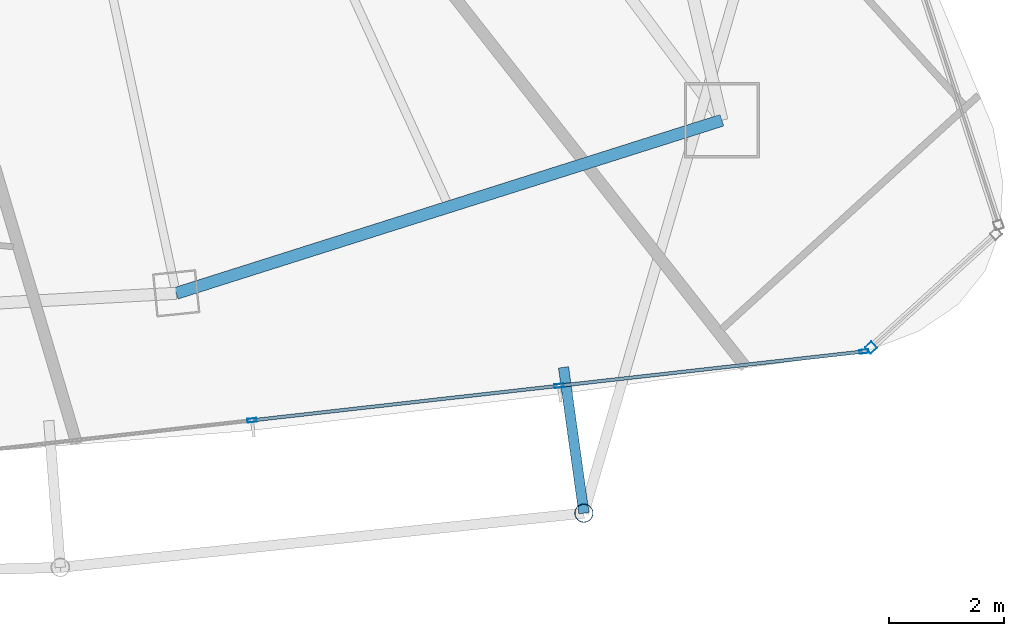
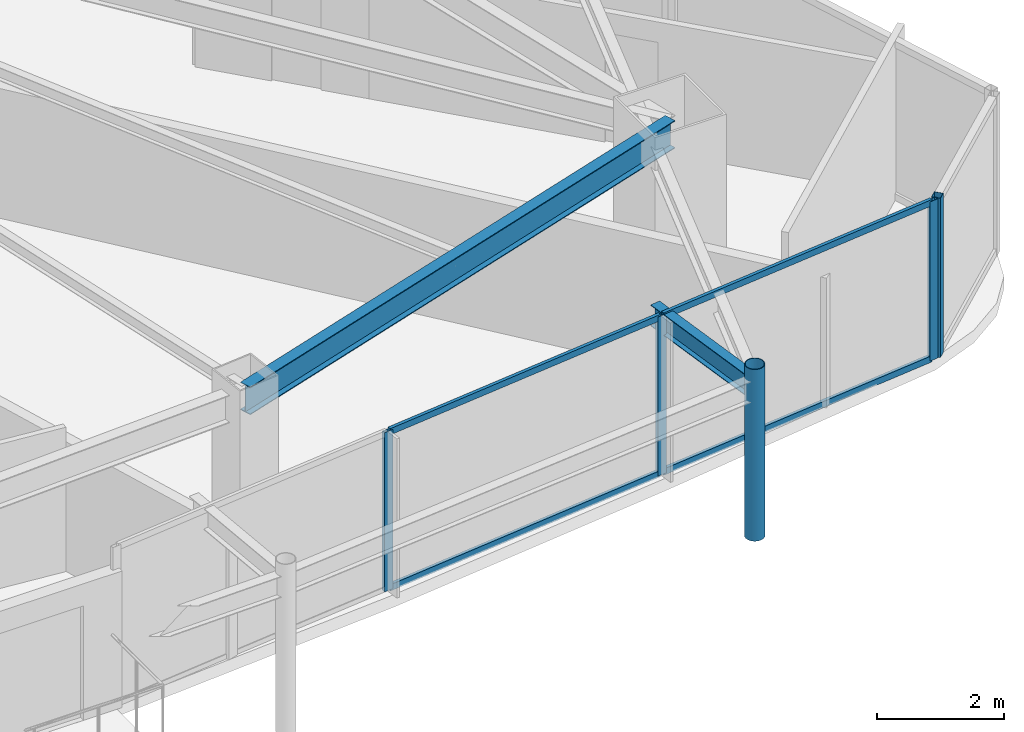
# One storey, part 15 of 34: 9 members, 2 beams, 2 elements without a shape of their own.
"""IFC4 building model written with IfcOpenShell, lengths in metres."""

from ifc_helpers import new_model, si_unit, direction, frame, origin, origin_2d, place, context, subcontext, project, spatial, hollow_rectangle, hollow_circle, i_section, extrude, material, layer, layer_set, material_profile, profile_set, type_object, element, aggregate, save


model = new_model("IFC4")

# Units and contexts
model_context = context("Model", 3, precision=1e-05, world=origin(), true_north=direction((0.0, 1.0)))
body_context = subcontext(model_context, "Body", "Model", "MODEL_VIEW")
ifc_project = project(units=[si_unit("LENGTHUNIT", "METRE"), si_unit("AREAUNIT", "SQUARE_METRE"), si_unit("VOLUMEUNIT", "CUBIC_METRE"), si_unit("PLANEANGLEUNIT", "RADIAN"), si_unit("MASSUNIT", "GRAM", prefix="KILO")], contexts=[model_context])

# Site, building, storey
site_placement = place(None, origin())
site = spatial("IfcSite", under=ifc_project, at=site_placement, CompositionType="ELEMENT")
building_placement = place(site_placement, origin())
building = spatial("IfcBuilding", under=site, at=building_placement, Name="Orvanel Arch Residences", CompositionType="ELEMENT")
storey_placement = place(building_placement, frame((0.0, 0.0, 199.699951171875)))
storey = spatial("IfcBuildingStorey", under=building, at=storey_placement, Name="L56", CompositionType="ELEMENT", Elevation=199.699951171875)

# Curtain wall, member
ifc_material_1 = material(Name="Bronze-anodised aluminium AA6063-T6", Category="aluminium")
ifc_layer_1 = layer(ifc_material_1, 0.18994140625)
ifc_layer_set_1 = layer_set([ifc_layer_1], Name="Bronze-anodised aluminium AA6063-T6")
curtain_wall_type_1 = type_object("IfcCurtainWallType", Name="CW5-CRN-SYS", PredefinedType="NOTDEFINED", material=ifc_layer_set_1)
curtain_wall_1_placement = place(storey_placement, origin())
curtain_wall_1 = element("IfcCurtainWall", 1, at=curtain_wall_1_placement, inside=storey, type_object=curtain_wall_type_1, Name="L56 CW5-CRN-SYS Unitised Curtain Wall", PredefinedType="NOTDEFINED")
ifc_material_profile_1 = material_profile(ifc_material_1, hollow_rectangle(XDim=0.14990234375, YDim=0.14990234375, WallThickness=0.0048828125, at=origin_2d()), Name="ALU150x150x5")
ifc_profile_set_1 = profile_set([ifc_material_profile_1], Name="Bronze-anodised aluminium AA6063-T6")
member_type_1 = type_object("IfcMemberType", Name="MUL-150x150", PredefinedType="MULLION", material=ifc_profile_set_1)
member_1_placement = place(storey_placement, frame((54.385498046875, 6.41650390625, 0.0), z_axis=(0.0, 0.0, 1.0), x_axis=(-0.672478543839, 0.740116617889, 0.0)))
member_1 = element("IfcMember", 2, at=member_1_placement, type_object=member_type_1, Name="CW-S5 mullion 1", PredefinedType="MULLION", context=body_context, shape_type="SweptSolid", body=[
    extrude(hollow_rectangle(XDim=0.14990234375, YDim=0.14990234375, WallThickness=0.0048828125, at=origin_2d()), origin(), (0.0, 0.0, 1.0), 3.06005859375),
])
aggregate(curtain_wall_1, [member_1])

# Curtain wall, members
ifc_layer_2 = layer(ifc_material_1, 0.175048828125)
ifc_layer_set_2 = layer_set([ifc_layer_2], Name="Bronze-anodised aluminium AA6063-T6")
curtain_wall_type_2 = type_object("IfcCurtainWallType", Name="CW4-HI-SYS", PredefinedType="NOTDEFINED", material=ifc_layer_set_2)
curtain_wall_2_placement = place(storey_placement, origin())
curtain_wall_2 = element("IfcCurtainWall", 3, at=curtain_wall_2_placement, inside=storey, type_object=curtain_wall_type_2, Name="L56 CW4-HI-SYS Unitised Curtain Wall", PredefinedType="NOTDEFINED")
ifc_material_profile_2 = material_profile(ifc_material_1, hollow_rectangle(XDim=0.06494140625, YDim=0.159912109375, WallThickness=0.00390625, at=origin_2d()), Name="ALU160x65x4")
ifc_profile_set_2 = profile_set([ifc_material_profile_2], Name="Bronze-anodised aluminium AA6063-T6")
member_type_2 = type_object("IfcMemberType", Name="MUL-160x65", PredefinedType="MULLION", material=ifc_profile_set_2)
member_2_placement = place(storey_placement, frame((43.664306640625, 5.155029296875, 0.0), z_axis=(0.0, 0.0, 1.0), x_axis=(-0.111799388547, 0.993730796907, 0.0)))
member_2 = element("IfcMember", 4, at=member_2_placement, type_object=member_type_2, Name="CW-S4 mullion 2", PredefinedType="MULLION", context=body_context, shape_type="SweptSolid", body=[
    extrude(hollow_rectangle(XDim=0.06494140625, YDim=0.159912109375, WallThickness=0.00390625, at=origin_2d()), origin(), (0.0, 0.0, 1.0), 3.06005859375),
])
member_3_placement = place(storey_placement, frame((48.979736328125, 5.7529296875, 0.0), z_axis=(0.0, 0.0, 1.0), x_axis=(-0.111799388547, 0.993730796907, 0.0)))
member_3 = element("IfcMember", 5, at=member_3_placement, type_object=member_type_2, Name="CW-S4 mullion 3", PredefinedType="MULLION", context=body_context, shape_type="SweptSolid", body=[
    extrude(hollow_rectangle(XDim=0.06494140625, YDim=0.159912109375, WallThickness=0.00390625, at=origin_2d()), origin(), (0.0, 0.0, 1.0), 3.06005859375),
])
member_4_placement = place(storey_placement, frame((54.2626953125, 6.347412109375, 0.0), z_axis=(0.0, 0.0, 1.0), x_axis=(-0.111799388547, 0.993730796907, 0.0)))
member_4 = element("IfcMember", 6, at=member_4_placement, type_object=member_type_2, Name="CW-S4 mullion 4", PredefinedType="MULLION", context=body_context, shape_type="SweptSolid", body=[
    extrude(hollow_rectangle(XDim=0.06494140625, YDim=0.159912109375, WallThickness=0.00390625, at=origin_2d()), origin(), (0.0, 0.0, 1.0), 3.06005859375),
])

# Beams
ifc_material_2 = material(Name="Structural steel AS/NZS 3679.1 Grade 300 (300 MPa)", Category="steel")
ifc_material_profile_3 = material_profile(ifc_material_2, i_section(OverallWidth=0.177978515625, OverallDepth=0.406005859375, WebThickness=0.0078125, FlangeThickness=0.0126953125, at=origin_2d()), Name="410UB59.7")
ifc_profile_set_3 = profile_set([ifc_material_profile_3], Name="Structural steel AS/NZS 3679.1 Grade 300 (300 MPa)")
beam_type_1 = type_object("IfcBeamType", Name="OB-410UB-EXT", PredefinedType="SPANDREL", material=ifc_profile_set_3)
beam_1_placement = place(storey_placement, frame((49.05810546875, 6.072998046875, 2.85693359375), z_axis=(0.138324868017, -0.990386909691, 0.0), x_axis=(0.990386909691, 0.138324868017, 0.0)))
element("IfcBeam", 7, at=beam_1_placement, inside=storey, type_object=beam_type_1, Name="L56 Outer Frame Radial Tie Beam 08", PredefinedType="SPANDREL", context=body_context, shape_type="SweptSolid", body=[
    extrude(i_section(OverallWidth=0.177978515625, OverallDepth=0.406005859375, WebThickness=0.0078125, FlangeThickness=0.0126953125, at=origin_2d()), origin(), (0.0, 0.0, 1.0), 2.55029296875),
])
ifc_material_profile_4 = material_profile(ifc_material_2, i_section(OverallWidth=0.208984375, OverallDepth=0.532958984375, WebThickness=0.01025390625, FlangeThickness=0.015625, at=origin_2d()), Name="530UB92.4")
ifc_profile_set_4 = profile_set([ifc_material_profile_4], Name="Structural steel AS/NZS 3679.1 Grade 300 (300 MPa)")
beam_type_2 = type_object("IfcBeamType", Name="SP-530UB", PredefinedType="SPANDREL", material=ifc_profile_set_4)
beam_2_placement = place(storey_placement, frame((42.35107421875, 7.35498046875, 2.79296875), z_axis=(0.953237386592, 0.302222574941, 0.0), x_axis=(-0.302222574941, 0.953237386592, 0.0)))
element("IfcBeam", 8, at=beam_2_placement, inside=storey, type_object=beam_type_2, Name="L56 Perimeter Spandrel Beam 05", PredefinedType="SPANDREL", context=body_context, shape_type="SweptSolid", body=[
    extrude(i_section(OverallWidth=0.208984375, OverallDepth=0.532958984375, WebThickness=0.01025390625, FlangeThickness=0.015625, at=origin_2d()), origin(), (0.0, 0.0, 1.0), 9.91357421875),
])

# Member
ifc_material_3 = material(Name="Structural steel AS/NZS 1163 C350L0 (Grade 350)", Category="steel")
ifc_material_profile_5 = material_profile(ifc_material_3, hollow_circle(Radius=0.162109375, WallThickness=0.0126953125, at=origin_2d()), Name="CHS324x12.7")
ifc_profile_set_5 = profile_set([ifc_material_profile_5], Name="Structural steel AS/NZS 1163 C350L0 (Grade 350)")
member_type_3 = type_object("IfcMemberType", Name="ST-324CHS-EXT", PredefinedType="STRUT", material=ifc_profile_set_5)
member_5_placement = place(storey_placement, frame((49.410888671875, 3.547119140625, 0.0), z_axis=(0.0, 0.0, 1.0), x_axis=(1.0, 0.0, 0.0)))
element("IfcMember", 9, at=member_5_placement, inside=storey, type_object=member_type_3, Name="L56 Outer Perimeter Frame Post 08", PredefinedType="STRUT", context=body_context, shape_type="SweptSolid", body=[
    extrude(hollow_circle(Radius=0.162109375, WallThickness=0.0126953125, at=origin_2d()), origin(), (0.0, 0.0, 1.0), 3.300048828125),
])

ifc_material_profile_6 = material_profile(ifc_material_1, hollow_rectangle(XDim=0.06005859375, YDim=0.1201171875, WallThickness=0.00341796875, at=origin_2d()), Name="ALU120x60x3.5")
ifc_profile_set_6 = profile_set([ifc_material_profile_6], Name="Bronze-anodised aluminium AA6063-T6")
member_type_4 = type_object("IfcMemberType", Name="TRN-120x60", PredefinedType="USERDEFINED", material=ifc_profile_set_6)
member_6_placement = place(storey_placement, frame((43.696533203125, 5.15869140625, 0.030029296875), z_axis=(0.993734074904, 0.111770248161, 0.0), x_axis=(-0.111770248161, 0.993734074904, 0.0)))
member_6 = element("IfcMember", 10, at=member_6_placement, type_object=member_type_4, Name="CW-S4 transom 2.1", ObjectType="TRANSOM", PredefinedType="USERDEFINED", context=body_context, shape_type="SweptSolid", body=[
    extrude(hollow_rectangle(XDim=0.06005859375, YDim=0.1201171875, WallThickness=0.00341796875, at=origin_2d()), origin(), (0.0, 0.0, 1.0), 5.283935546875),
])

member_7_placement = place(storey_placement, frame((43.696533203125, 5.15869140625, 3.030029296875), z_axis=(0.993734074904, 0.111770248161, 0.0), x_axis=(-0.111770248161, 0.993734074904, 0.0)))
member_7 = element("IfcMember", 11, at=member_7_placement, type_object=member_type_4, Name="CW-S4 transom 2.2", ObjectType="TRANSOM", PredefinedType="USERDEFINED", context=body_context, shape_type="SweptSolid", body=[
    extrude(hollow_rectangle(XDim=0.06005859375, YDim=0.1201171875, WallThickness=0.00341796875, at=origin_2d()), origin(), (0.0, 0.0, 1.0), 5.283935546875),
])

member_8_placement = place(storey_placement, frame((49.011962890625, 5.756591796875, 0.030029296875), z_axis=(0.993729702059, 0.111809119694, 0.0), x_axis=(-0.111809119694, 0.993729702059, 0.0)))
member_8 = element("IfcMember", 12, at=member_8_placement, type_object=member_type_4, Name="CW-S4 transom 3.1", ObjectType="TRANSOM", PredefinedType="USERDEFINED", context=body_context, shape_type="SweptSolid", body=[
    extrude(hollow_rectangle(XDim=0.06005859375, YDim=0.1201171875, WallThickness=0.00341796875, at=origin_2d()), origin(), (0.0, 0.0, 1.0), 5.25146484375),
])

member_9_placement = place(storey_placement, frame((49.011962890625, 5.756591796875, 3.030029296875), z_axis=(0.993729702059, 0.111809119694, 0.0), x_axis=(-0.111809119694, 0.993729702059, 0.0)))
member_9 = element("IfcMember", 13, at=member_9_placement, type_object=member_type_4, Name="CW-S4 transom 3.2", ObjectType="TRANSOM", PredefinedType="USERDEFINED", context=body_context, shape_type="SweptSolid", body=[
    extrude(hollow_rectangle(XDim=0.06005859375, YDim=0.1201171875, WallThickness=0.00341796875, at=origin_2d()), origin(), (0.0, 0.0, 1.0), 5.25146484375),
])

aggregate(curtain_wall_2, [member_2, member_3, member_4, member_6, member_7, member_8, member_9])

save(model, "model.ifc")
